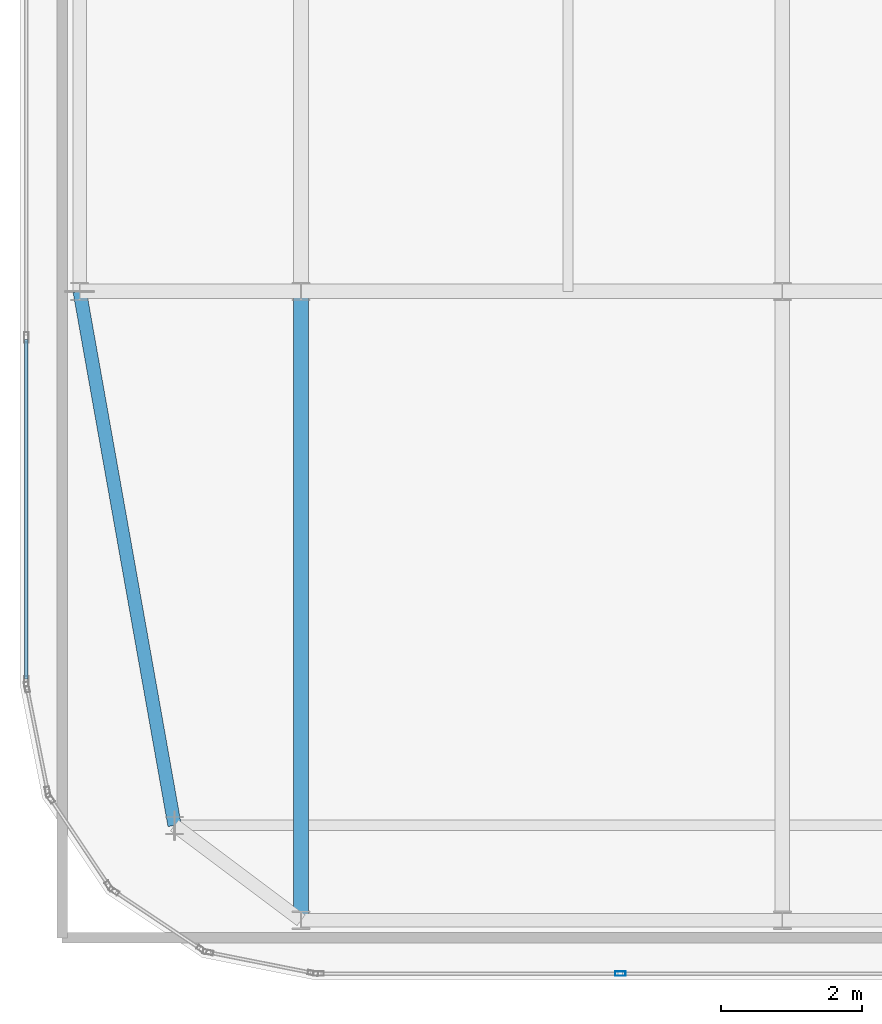
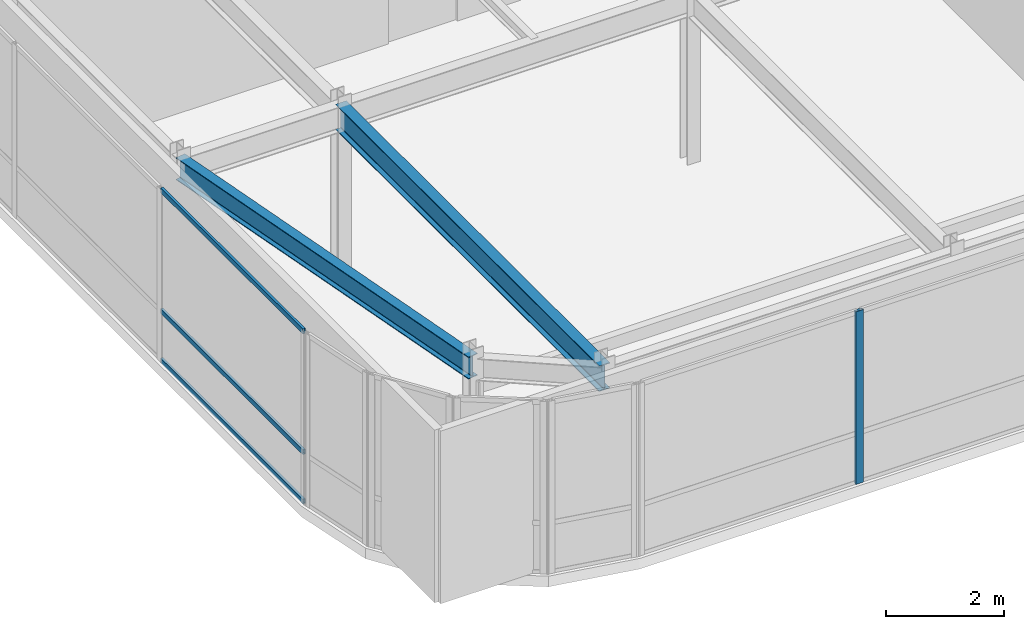
# One storey, part 6 of 36: 4 members, 2 beams, 2 elements without a shape of their own.
"""IFC4 building model written with IfcOpenShell, lengths in metres."""

from ifc_helpers import new_model, si_unit, direction, frame, origin, origin_2d, place, context, subcontext, project, spatial, hollow_rectangle, i_section, extrude, source, transform, mapped, material, layer, layer_set, material_profile, profile_set, type_object, type_shapes, element, aggregate, save


model = new_model("IFC4")

# Units and contexts
model_context = context("Model", 3, precision=1e-05, world=origin(), true_north=direction((0.0, 1.0)))
body_context = subcontext(model_context, "Body", "Model", "MODEL_VIEW")
ifc_project = project(units=[si_unit("LENGTHUNIT", "METRE"), si_unit("AREAUNIT", "SQUARE_METRE"), si_unit("VOLUMEUNIT", "CUBIC_METRE"), si_unit("PLANEANGLEUNIT", "RADIAN"), si_unit("MASSUNIT", "GRAM", prefix="KILO")], contexts=[model_context])

# Site, building, storey
site_placement = place(None, origin())
site = spatial("IfcSite", under=ifc_project, at=site_placement, CompositionType="ELEMENT")
building_placement = place(site_placement, origin())
building = spatial("IfcBuilding", under=site, at=building_placement, Name="Tolvann Quenvar Hotel", CompositionType="ELEMENT")
storey_placement = place(building_placement, frame((0.0, 0.0, 294.75)))
storey = spatial("IfcBuildingStorey", under=building, at=storey_placement, Name="L78", CompositionType="ELEMENT", Elevation=294.75)

# Beams
ifc_material_1 = material(Name="Steel Grade 350", Category="steel")
ifc_material_profile_1 = material_profile(ifc_material_1, i_section(OverallWidth=0.19091796875, OverallDepth=0.4599609375, WebThickness=0.010009765625, FlangeThickness=0.01611328125, FilletRadius=0.011474609375, at=origin_2d()), Name="460UB82")
ifc_profile_set_1 = profile_set([ifc_material_profile_1], Name="Steel Grade 350")
beam_type_1 = type_object("IfcBeamType", Name="BM_SPAND_460UB82", PredefinedType="SPANDREL", material=ifc_profile_set_1)
shared_shape_1 = source(origin(), body_context, "Body", "SweptSolid", [
    extrude(i_section(OverallWidth=0.19091796875, OverallDepth=0.4599609375, WebThickness=0.010009765625, FlangeThickness=0.01611328125, FilletRadius=0.011474609375, at=origin_2d()), origin(), (0.0, 0.0, 1.0), 7.718994140625),
])
type_shapes(beam_type_1, [shared_shape_1])
beam_1_placement = place(storey_placement, frame((5.800048828125, 8.39990234375, 3.35009765625), z_axis=(-0.174903883222, 0.984585512606, 0.0), x_axis=(-0.984585512606, -0.174903883222, 0.0)))
element("IfcBeam", 1, at=beam_1_placement, inside=storey, type_object=beam_type_1, Name="BM-L78-NS-B2-B4", PredefinedType="SPANDREL", context=body_context, shape_type="MappedRepresentation", body=[
    mapped(shared_shape_1, transform((0.0, 0.0, 0.0), x_axis=(1.0, 0.0, 0.0), y_axis=(0.0, 1.0, 0.0), z_axis=(0.0, 0.0, 1.0), scale=1.0)),
])
ifc_material_profile_2 = material_profile(ifc_material_1, i_section(OverallWidth=0.208984375, OverallDepth=0.532958984375, WebThickness=0.01025390625, FlangeThickness=0.015625, FilletRadius=0.013916015625, at=origin_2d()), Name="530UB92")
ifc_profile_set_2 = profile_set([ifc_material_profile_2], Name="Steel Grade 350")
beam_type_2 = type_object("IfcBeamType", Name="BM_GIRD_530UB92", PredefinedType="BEAM", material=ifc_profile_set_2)
shared_shape_2 = source(origin(), body_context, "Body", "SweptSolid", [
    extrude(i_section(OverallWidth=0.208984375, OverallDepth=0.532958984375, WebThickness=0.01025390625, FlangeThickness=0.015625, FilletRadius=0.013916015625, at=origin_2d()), origin(), (0.0, 0.0, 1.0), 8.949951171875),
])
type_shapes(beam_type_2, [shared_shape_2])
beam_2_placement = place(storey_placement, frame((7.60009765625, 7.050048828125, 3.3134765625), z_axis=(0.0, 1.0, 0.0), x_axis=(-1.0, 0.0, 0.0)))
element("IfcBeam", 2, at=beam_2_placement, inside=storey, type_object=beam_type_2, Name="BM-L78-NS-C2-C4", PredefinedType="BEAM", context=body_context, shape_type="MappedRepresentation", body=[
    mapped(shared_shape_2, transform((0.0, 0.0, 0.0), x_axis=(1.0, 0.0, 0.0), y_axis=(0.0, 1.0, 0.0), z_axis=(0.0, 0.0, 1.0), scale=1.0)),
])

# Curtain wall, member
ifc_material_2 = material(Name="Thermally broken anodised architectural aluminium 6063-T6 and laminated low-E glass", Category="aluminium")
ifc_layer = layer(ifc_material_2, 0.179931640625)
ifc_layer_set = layer_set([ifc_layer], Name="Thermally broken anodised architectural aluminium 6063-T6 and laminated low-E glass")
curtain_wall_type = type_object("IfcCurtainWallType", Name="CW_SYS_LANT_06", PredefinedType="USERDEFINED", material=ifc_layer_set)
curtain_wall_1_placement = place(storey_placement, origin())
curtain_wall_1 = element("IfcCurtainWall", 3, at=curtain_wall_1_placement, inside=storey, type_object=curtain_wall_type, Name="Curtain Wall CW-LANT-06 (CWR-L78-E04)", ObjectType="UNITISED CURTAIN WALL", PredefinedType="USERDEFINED")
ifc_material_3 = material(Name="Anodised architectural aluminium 6063-T6 framing", Category="aluminium")
ifc_material_profile_3 = material_profile(ifc_material_3, hollow_rectangle(XDim=0.06494140625, YDim=0.14990234375, WallThickness=0.00390625, at=origin_2d()), Name="150x65x4RHS")
ifc_profile_set_3 = profile_set([ifc_material_profile_3], Name="Anodised architectural aluminium 6063-T6 framing")
member_type_1 = type_object("IfcMemberType", Name="CW_MULL_150x65", PredefinedType="MULLION", material=ifc_profile_set_3)
shared_shape_3 = source(origin(), body_context, "Body", "SweptSolid", [
    extrude(hollow_rectangle(XDim=0.06494140625, YDim=0.14990234375, WallThickness=0.00390625, at=origin_2d()), origin(), (0.0, 0.0, 1.0), 3.580078125),
])
type_shapes(member_type_1, [shared_shape_3])
member_1_placement = place(storey_placement, frame((12.144775390625, 6.2900390625, 0.0), z_axis=(0.0, 0.0, 1.0), x_axis=(0.0, 1.0, 0.0)))
member_1 = element("IfcMember", 4, at=member_1_placement, type_object=member_type_1, Name="CW-LANT-06 mullion 2", PredefinedType="MULLION", context=body_context, shape_type="MappedRepresentation", body=[
    mapped(shared_shape_3, transform((0.0, 0.0, 0.0), x_axis=(1.0, 0.0, 0.0), y_axis=(0.0, 1.0, 0.0), z_axis=(0.0, 0.0, 1.0), scale=1.0)),
])
aggregate(curtain_wall_1, [member_1])

# Curtain wall, members
curtain_wall_2_placement = place(storey_placement, origin())
curtain_wall_2 = element("IfcCurtainWall", 5, at=curtain_wall_2_placement, inside=storey, type_object=curtain_wall_type, Name="Curtain Wall CW-LANT-06 (CWR-L78-E19)", ObjectType="UNITISED CURTAIN WALL", PredefinedType="USERDEFINED")
ifc_material_profile_4 = material_profile(ifc_material_3, hollow_rectangle(XDim=0.050048828125, YDim=0.10009765625, WallThickness=0.0029296875, at=origin_2d()), Name="100x50x3RHS")
ifc_profile_set_4 = profile_set([ifc_material_profile_4], Name="Anodised architectural aluminium 6063-T6 framing")
member_type_2 = type_object("IfcMemberType", Name="CW_TRAN_100x50", PredefinedType="USERDEFINED", material=ifc_profile_set_4)
shared_shape_4 = source(origin(), body_context, "Body", "SweptSolid", [
    extrude(hollow_rectangle(XDim=0.050048828125, YDim=0.10009765625, WallThickness=0.0029296875, at=origin_2d()), origin(), (0.0, 0.0, 1.0), 4.830078125),
])
type_shapes(member_type_2, [shared_shape_4])
member_2_placement = place(storey_placement, frame((3.68994140625, 15.312255859375, 0.02490234375), z_axis=(0.0, -1.0, 0.0), x_axis=(1.0, 0.0, 0.0)))
member_2 = element("IfcMember", 6, at=member_2_placement, type_object=member_type_2, Name="CW-LANT-06 transom 6.1", ObjectType="TRANSOM", PredefinedType="USERDEFINED", context=body_context, shape_type="MappedRepresentation", body=[
    mapped(shared_shape_4, transform((0.0, 0.0, 0.0), x_axis=(1.0, 0.0, 0.0), y_axis=(0.0, 1.0, 0.0), z_axis=(0.0, 0.0, 1.0), scale=1.0)),
])
member_3_placement = place(storey_placement, frame((3.68994140625, 15.312255859375, 1.050048828125), z_axis=(0.0, -1.0, 0.0), x_axis=(1.0, 0.0, 0.0)))
member_3 = element("IfcMember", 7, at=member_3_placement, type_object=member_type_2, Name="CW-LANT-06 transom 6.2", ObjectType="TRANSOM", PredefinedType="USERDEFINED", context=body_context, shape_type="MappedRepresentation", body=[
    mapped(shared_shape_4, transform((0.0, 0.0, 0.0), x_axis=(1.0, 0.0, 0.0), y_axis=(0.0, 1.0, 0.0), z_axis=(0.0, 0.0, 1.0), scale=1.0)),
])
member_4_placement = place(storey_placement, frame((3.68994140625, 15.312255859375, 3.554931640625), z_axis=(0.0, -1.0, 0.0), x_axis=(1.0, 0.0, 0.0)))
member_4 = element("IfcMember", 8, at=member_4_placement, type_object=member_type_2, Name="CW-LANT-06 transom 6.3", ObjectType="TRANSOM", PredefinedType="USERDEFINED", context=body_context, shape_type="MappedRepresentation", body=[
    mapped(shared_shape_4, transform((0.0, 0.0, 0.0), x_axis=(1.0, 0.0, 0.0), y_axis=(0.0, 1.0, 0.0), z_axis=(0.0, 0.0, 1.0), scale=1.0)),
])
aggregate(curtain_wall_2, [member_2, member_3, member_4])

save(model, "model.ifc")
